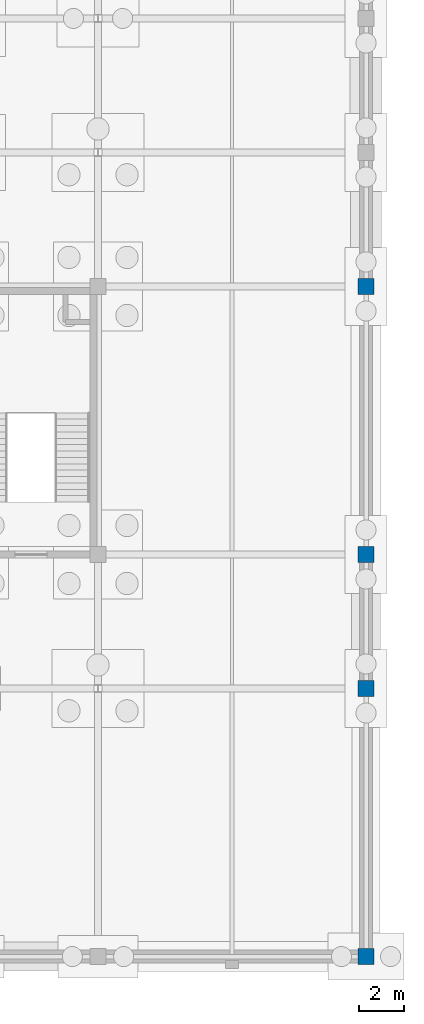
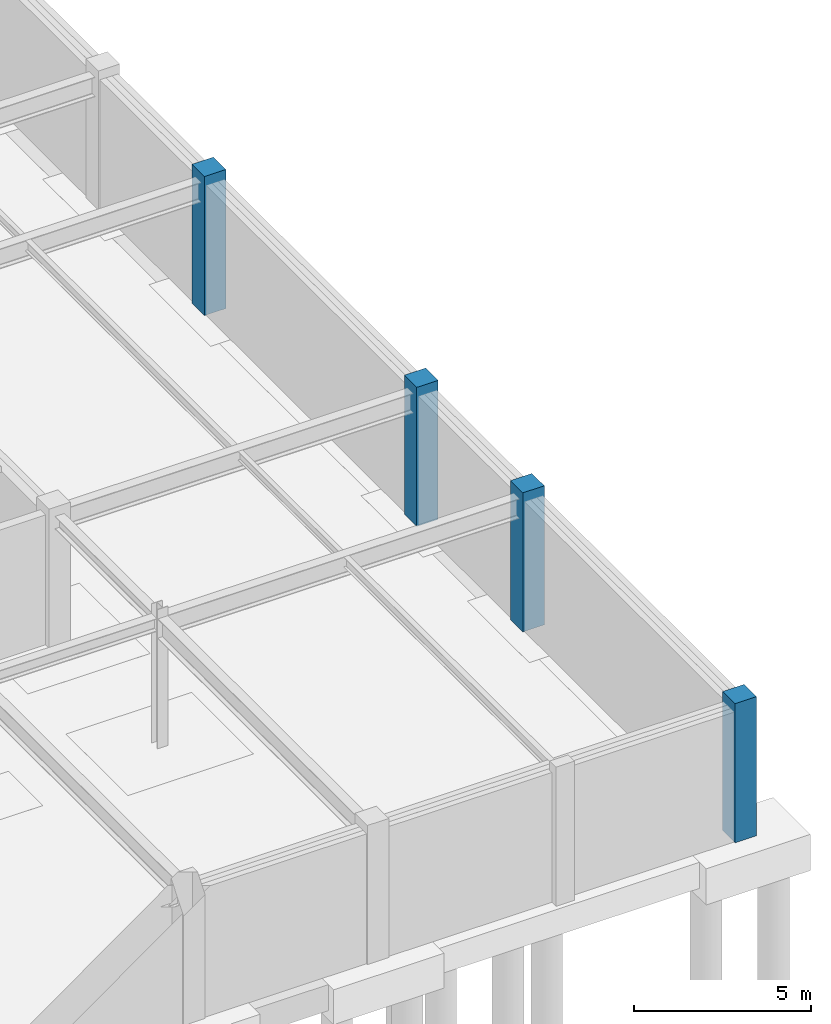
# One storey, part 30 of 69: 4 columns.
"""IFC4 building model written with IfcOpenShell, lengths in metres."""

from ifc_helpers import new_model, si_unit, direction, frame, origin, origin_2d, place, context, subcontext, project, spatial, rectangle, extrude, material, material_profile, profile_set, type_object, element, save


model = new_model("IFC4")

# Units and contexts
model_context = context("Model", 3, precision=1e-05, world=origin(), true_north=direction((0.0, 1.0)))
body_context = subcontext(model_context, "Body", "Model", "MODEL_VIEW")
ifc_project = project(units=[si_unit("LENGTHUNIT", "METRE"), si_unit("AREAUNIT", "SQUARE_METRE"), si_unit("VOLUMEUNIT", "CUBIC_METRE"), si_unit("PLANEANGLEUNIT", "RADIAN"), si_unit("MASSUNIT", "GRAM", prefix="KILO")], contexts=[model_context])

# Site, building, storey
site_placement = place(None, origin())
site = spatial("IfcSite", under=ifc_project, at=site_placement, CompositionType="ELEMENT")
building_placement = place(site_placement, origin())
building = spatial("IfcBuilding", under=site, at=building_placement, Name="Zlatovratsky Civic Hall", CompositionType="ELEMENT")
storey_placement = place(building_placement, frame((0.0, 0.0, -4.800048828125)))
storey = spatial("IfcBuildingStorey", under=building, at=storey_placement, Name="B1", CompositionType="ELEMENT", Elevation=-4.800048828125)

# Columns
ifc_material = material(Name="Concrete C35/45 (B40)", Category="concrete")
ifc_material_profile = material_profile(ifc_material, rectangle(XDim=0.699951171875, YDim=0.699951171875, at=origin_2d()), Name="RC 700x700")
ifc_profile_set = profile_set([ifc_material_profile], Name="Concrete C35/45 (B40)")
column_type = type_object("IfcColumnType", Name="Col_CorePier_RC700", PredefinedType="COLUMN", material=ifc_profile_set)
for number, where, z_axis, x_axis, name in (
    (1, (168.0, 0.0, 0.0), (0.0, 0.0, 1.0), (1.0, 0.0, 0.0), "CL-0025"),
    (2, (168.0, 12.0, 0.0), (0.0, 0.0, 1.0), (1.0, 0.0, 0.0), "CL-0048"),
    (3, (168.0, 18.0, 0.0), (0.0, 0.0, 1.0), (1.0, 0.0, 0.0), "CL-0071"),
    (4, (168.0, 30.0, 0.0), (0.0, 0.0, 1.0), (1.0, 0.0, 0.0), "CL-0094"),
):
    element("IfcColumn", number, at=place(storey_placement, frame(where, z_axis=z_axis, x_axis=x_axis)), inside=storey, type_object=column_type, Name=name, PredefinedType="COLUMN", context=body_context, shape_type="SweptSolid", body=[
        extrude(rectangle(XDim=0.699951171875, YDim=0.699951171875, at=origin_2d()), origin(), (0.0, 0.0, 1.0), 4.800048828125),
    ])

save(model, "model.ifc")
